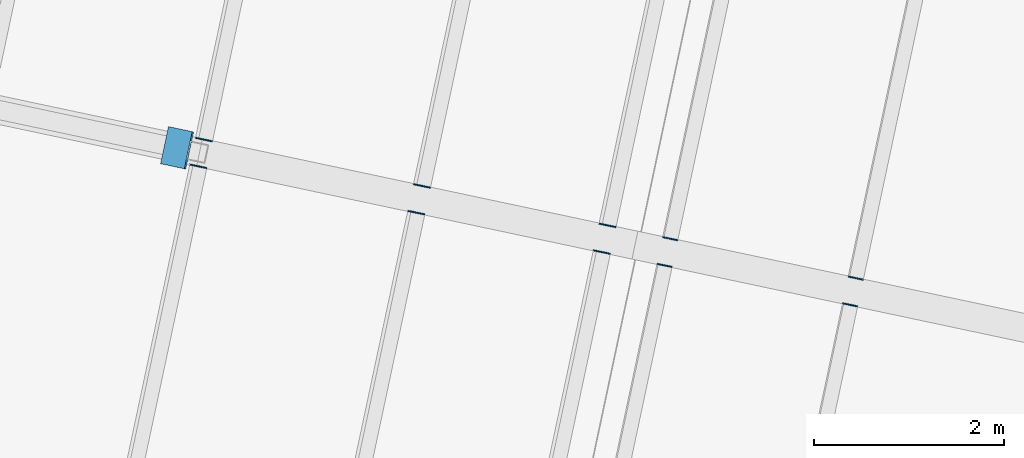
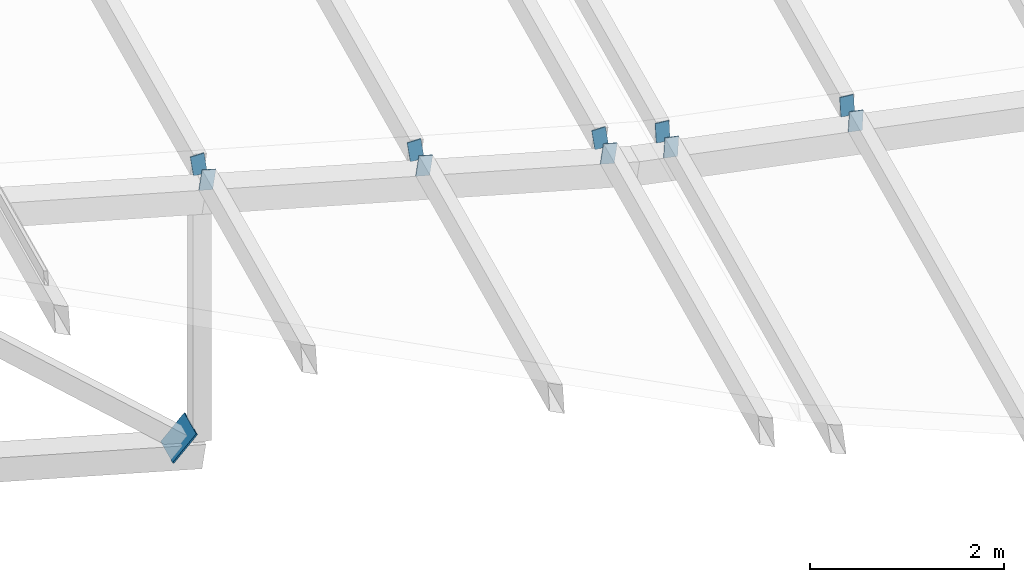
# One storey, part 166 of 196: 11 discrete accessories.
"""IFC4 building model written with IfcOpenShell, lengths in metres."""

from ifc_helpers import new_model, si_unit, direction, frame, origin, origin_2d, place, context, subcontext, project, spatial, rectangle, extrude, material, layer, layer_set, type_object, element, save


model = new_model("IFC4")

# Units and contexts
model_context = context("Model", 3, precision=1e-05, world=origin(), true_north=direction((0.0, 1.0)))
body_context = subcontext(model_context, "Body", "Model", "MODEL_VIEW")
ifc_project = project(units=[si_unit("LENGTHUNIT", "METRE"), si_unit("AREAUNIT", "SQUARE_METRE"), si_unit("VOLUMEUNIT", "CUBIC_METRE"), si_unit("PLANEANGLEUNIT", "RADIAN"), si_unit("MASSUNIT", "GRAM", prefix="KILO")], contexts=[model_context])

# Site, building, storey
site_placement = place(None, origin())
site = spatial("IfcSite", under=ifc_project, at=site_placement, CompositionType="ELEMENT")
building_placement = place(site_placement, origin())
building = spatial("IfcBuilding", under=site, at=building_placement, Name="Okhra Congress Centre", CompositionType="ELEMENT")
storey_placement = place(building_placement, frame((0.0, 0.0, 12.0)))
storey = spatial("IfcBuildingStorey", under=building, at=storey_placement, Name="L02", CompositionType="ELEMENT", Elevation=12.0)

# Discrete accessories
ifc_material = material(Name="Steel S355J2", Category="steel")
ifc_layer_1 = layer(ifc_material, 0.02001953125)
ifc_layer_set_1 = layer_set([ifc_layer_1], Name="Brace end connection plate 20 mm S355")
discrete_accessory_type_1 = type_object("IfcDiscreteAccessoryType", Name="Brace end connection plate 20 mm S355", PredefinedType="BRACKET", material=ifc_layer_set_1)
discrete_accessory_placement = place(storey_placement, frame((220.587158203125, 126.047119140625, 0.591796875), z_axis=(0.751199626988, -0.160091723784, -0.640366895138), x_axis=(0.208433994533, 0.978036435887, 0.0)))
element("IfcDiscreteAccessory", 1, at=discrete_accessory_placement, inside=storey, type_object=discrete_accessory_type_1, Name="Brace end connection plate", PredefinedType="BRACKET", context=body_context, shape_type="SweptSolid", body=[
    extrude(rectangle(XDim=0.39990234375, YDim=0.39990234375, at=origin_2d()), origin(), (0.0, 0.0, 1.0), 0.019775390625),
])
ifc_layer_2 = layer(ifc_material, 0.011962890625)
ifc_layer_set_2 = layer_set([ifc_layer_2], Name="Hollow section end cap 12 mm S355")
discrete_accessory_type_2 = type_object("IfcDiscreteAccessoryType", Name="Hollow section end cap 12 mm S355", PredefinedType="BRACKET", material=ifc_layer_set_2)
for number, where, z_axis, x_axis, name in (
    (2, (220.81689453125, 125.844970703125, 3.87646484375), (0.203954254112, 0.978980419738, 0.0), (-0.969453049589, 0.201969385331, 0.13917310096), "Hollow section end cap"),
    (3, (223.115478515625, 125.3564453125, 3.546142578125), (0.203954254112, 0.978980419738, 0.0), (-0.969453049589, 0.201969385331, 0.13917310096), "Hollow section end cap"),
    (4, (225.07177734375, 124.940673828125, 3.26513671875), (0.203954254112, 0.978980419738, 0.0), (-0.969453049589, 0.201969385331, 0.13917310096), "Hollow section end cap"),
    (5, (225.733154296875, 124.800048828125, 3.199951171875), (0.203954254112, 0.978980419738, 0.0), (-0.977638761096, 0.203674741895, 0.052335956243), "Hollow section end cap"),
    (6, (227.689453125, 124.38427734375, 3.094970703125), (0.203954254112, 0.978980419738, 0.0), (-0.977638761096, 0.203674741895, 0.052335956243), "Hollow section end cap"),
    (7, (220.879150390625, 126.138427734375, 3.87646484375), (-0.203954254112, -0.978980419738, 0.0), (0.969453049589, -0.201969385331, 0.13917310096), "Hollow section end cap"),
    (8, (223.177734375, 125.64990234375, 3.546142578125), (-0.203954254112, -0.978980419738, 0.0), (0.969453049589, -0.201969385331, 0.13917310096), "Hollow section end cap"),
    (9, (225.134033203125, 125.234130859375, 3.26513671875), (-0.203954254112, -0.978980419738, 0.0), (0.969453049589, -0.201969385331, 0.13917310096), "Hollow section end cap"),
    (10, (225.79541015625, 125.093505859375, 3.199951171875), (-0.203954254112, -0.978980419738, 0.0), (0.977638761096, -0.203674741895, 0.052335956243), "Hollow section end cap"),
    (11, (227.751708984375, 124.677734375, 3.094970703125), (-0.203954254112, -0.978980419738, 0.0), (0.977638761096, -0.203674741895, 0.052335956243), "Hollow section end cap"),
):
    element("IfcDiscreteAccessory", number, at=place(storey_placement, frame(where, z_axis=z_axis, x_axis=x_axis)), inside=storey, type_object=discrete_accessory_type_2, Name=name, PredefinedType="BRACKET", context=body_context, shape_type="SweptSolid", body=[
        extrude(rectangle(XDim=0.14990234375, YDim=0.25, at=origin_2d()), origin(), (0.0, 0.0, 1.0), 0.011962890625),
    ])

save(model, "model.ifc")
